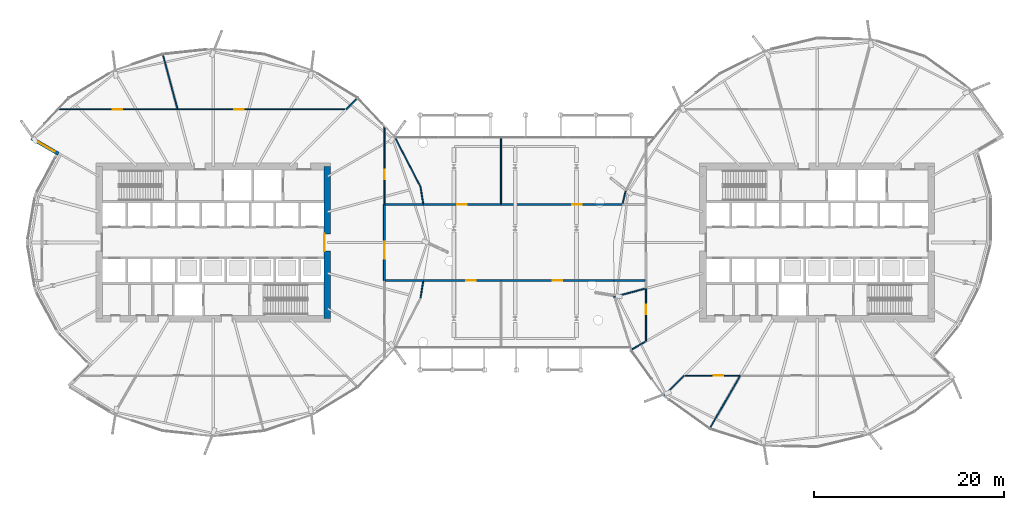
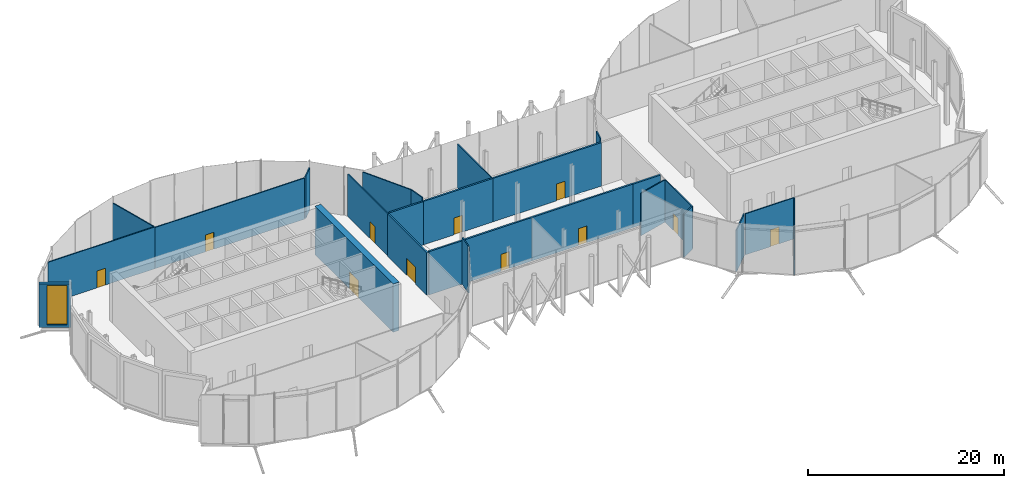
# One storey, part 21 of 38: 26 walls, 11 doors, 1 window, 12 openings.
"""IFC4 building model written with IfcOpenShell, lengths in metres."""

from ifc_helpers import new_model, si_unit, direction, frame, frame_2d, origin, place, context, subcontext, project, spatial, rectangle, extrude, material, layer, layer_set, type_object, element, fill, save


model = new_model("IFC4")

# Units and contexts
model_context = context("Model", 3, precision=1e-05, world=origin(), true_north=direction((0.0, 1.0)))
body_context = subcontext(model_context, "Body", "Model", "MODEL_VIEW")
ifc_project = project(units=[si_unit("LENGTHUNIT", "METRE"), si_unit("AREAUNIT", "SQUARE_METRE"), si_unit("VOLUMEUNIT", "CUBIC_METRE"), si_unit("PLANEANGLEUNIT", "RADIAN"), si_unit("MASSUNIT", "GRAM", prefix="KILO")], contexts=[model_context])

# Site, building, storey
site_placement = place(None, origin())
site = spatial("IfcSite", under=ifc_project, at=site_placement, CompositionType="ELEMENT")
building_placement = place(site_placement, origin())
building = spatial("IfcBuilding", under=site, at=building_placement, Name="Rimbun Link Towers", CompositionType="ELEMENT")
storey_placement = place(building_placement, frame((0.0, 0.0, 133.199951171875)))
storey = spatial("IfcBuildingStorey", under=building, at=storey_placement, Name="L32", CompositionType="ELEMENT", Elevation=133.199951171875)

# Wall, opening, window
ifc_material_1 = material(Name="Dark enamelled glass spandrel on insulated aluminium backpan", Category="aluminium")
ifc_layer_1 = layer(ifc_material_1, 0.3701171875)
ifc_layer_set_1 = layer_set([ifc_layer_1], Name="CS dark enamelled spandrel wall 370")
wall_type_1 = type_object("IfcWallType", Name="CS dark enamelled spandrel wall 370", PredefinedType="STANDARD", material=ifc_layer_set_1)
wall_1_placement = place(storey_placement, frame((-48.031494140625, 9.324951171875, 0.0), z_axis=(0.0, 0.0, 1.0), x_axis=(-0.866008333849, 0.50002956483, 0.0)))
wall_1 = element("IfcWall", 1, at=wall_1_placement, inside=storey, type_object=wall_type_1, Name="Crease spandrel wall", PredefinedType="STANDARD", context=body_context, shape_type="SweptSolid", body=[
    extrude(rectangle(XDim=3.280029296875, YDim=0.3701171875, at=frame_2d((1.64013671875, 0.0))), origin(), (0.0, 0.0, 1.0), 5.403564453125),
])
opening_1_placement = place(wall_1_placement, frame((0.443115234375, 0.0, 0.300048828125)))
opening_1 = element("IfcOpeningElement", 2, at=opening_1_placement, cuts=wall_1, Name="Opening WR20H495", PredefinedType="OPENING", context=body_context, shape_type="SweptSolid", body=[
    extrude(rectangle(XDim=2.0, YDim=4.949951171875, at=frame_2d((1.0, 2.47509765625))), frame((0.0, 0.195068359375, 0.0), z_axis=(0.0, -1.0, 0.0), x_axis=(1.0, 0.0, 0.0)), (0.0, 0.0, 1.0), 0.39013671875),
])
ifc_material_2 = material(Name="Aluminium framed fixed window, dark tinted low-e glass", Category="aluminium")
window_type = type_object("IfcWindowType", Name="WR ribbon window 2000X4950", PartitioningType="SINGLE_PANEL", PredefinedType="WINDOW", material=ifc_material_2)
window_placement = place(opening_1_placement, origin())
window = element("IfcWindow", 3, at=window_placement, inside=storey, type_object=window_type, Name="Crease ribbon window", OverallHeight=4.949951171875, OverallWidth=2.0, PartitioningType="SINGLE_PANEL", PredefinedType="WINDOW", context=body_context, shape_type="SweptSolid", body=[
    extrude(rectangle(XDim=2.0, YDim=4.949951171875, at=frame_2d((1.0, 2.47509765625))), frame((0.0, 0.030029296875, 0.0), z_axis=(0.0, -1.0, 0.0), x_axis=(1.0, 0.0, 0.0)), (0.0, 0.0, 1.0), 0.06005859375),
])
fill(opening_1, window)

# Wall, opening, door
ifc_material_3 = material(Name="Concrete C60/75", Category="concrete")
ifc_layer_2 = layer(ifc_material_3, 0.699951171875)
ifc_layer_set_2 = layer_set([ifc_layer_2], Name="Core shear wall 700")
wall_type_2 = type_object("IfcWallType", Name="Core shear wall 700", PredefinedType="SHEAR", material=ifc_layer_set_2)
wall_2_placement = place(storey_placement, frame((-19.75, -8.0, 0.0), z_axis=(0.0, 0.0, 1.0), x_axis=(0.0, 1.0, 0.0)))
wall_2 = element("IfcWall", 4, at=wall_2_placement, inside=storey, type_object=wall_type_2, Name="L32 T1 core wall E", PredefinedType="SHEAR", context=body_context, shape_type="SweptSolid", body=[
    extrude(rectangle(XDim=16.0, YDim=0.699951171875, at=frame_2d((8.0, 0.0))), origin(), (0.0, 0.0, 1.0), 6.0),
])
opening_2_placement = place(wall_2_placement, frame((7.10009765625, 0.0, 0.0)))
opening_2 = element("IfcOpeningElement", 5, at=opening_2_placement, cuts=wall_2, Name="Opening C1DCL01E", PredefinedType="OPENING", context=body_context, shape_type="SweptSolid", body=[
    extrude(rectangle(XDim=1.800048828125, YDim=2.10009765625, at=frame_2d((0.89990234375, 1.050048828125))), frame((0.0, 0.35986328125, 0.0), z_axis=(0.0, -1.0, 0.0), x_axis=(1.0, 0.0, 0.0)), (0.0, 0.0, 1.0), 0.719970703125),
])
ifc_material_4 = material(Name="Steel fire door set", Category="steel")
door_type_1 = type_object("IfcDoorType", Name="Core lobby door double", OperationType="DOUBLE_DOOR_SINGLE_SWING", PredefinedType="DOOR", material=ifc_material_4)
door_1_placement = place(opening_2_placement, origin())
door_1 = element("IfcDoor", 6, at=door_1_placement, inside=storey, type_object=door_type_1, Name="L32 T1 lift lobby door", OperationType="DOUBLE_DOOR_SINGLE_SWING", OverallHeight=2.10009765625, OverallWidth=1.800048828125, PredefinedType="DOOR", context=body_context, shape_type="SweptSolid", body=[
    extrude(rectangle(XDim=1.800048828125, YDim=2.10009765625, at=frame_2d((0.89990234375, 1.050048828125))), frame((0.0, 0.35009765625, 0.0), z_axis=(0.0, -1.0, 0.0), x_axis=(1.0, 0.0, 0.0)), (0.0, 0.0, 1.0), 0.050048828125),
])
fill(opening_2, door_1)

ifc_material_5 = material(Name="Concrete blockwork", Category="masonry")
ifc_layer_3 = layer(ifc_material_5, 0.199951171875)
ifc_layer_set_3 = layer_set([ifc_layer_3], Name="Fire partition 200 blockwork")
wall_type_3 = type_object("IfcWallType", Name="Fire partition 200 blockwork", PredefinedType="PARTITIONING", material=ifc_layer_set_3)
wall_3_placement = place(storey_placement, frame((-1.5, 4.0, 0.0), z_axis=(0.0, 0.0, 1.0), x_axis=(-1.0, 0.0, 0.0)))
wall_3 = element("IfcWall", 7, at=wall_3_placement, inside=storey, type_object=wall_type_3, Name="TW/PW/L32/001", PredefinedType="PARTITIONING", context=body_context, shape_type="SweptSolid", body=[
    extrude(rectangle(XDim=8.154296875, YDim=0.199951171875, at=frame_2d((4.0771484375, 0.0))), origin(), (0.0, 0.0, 1.0), 5.4140625),
])
opening_3_placement = place(wall_3_placement, frame((3.576904296875, 0.0, 0.0)))
opening_3 = element("IfcOpeningElement", 8, at=opening_3_placement, cuts=wall_3, Name="Opening TW D32.16", PredefinedType="OPENING", context=body_context, shape_type="SweptSolid", body=[
    extrude(rectangle(XDim=1.0, YDim=2.10009765625, at=frame_2d((0.5, 1.050048828125))), frame((0.0, 0.10986328125, 0.0), z_axis=(0.0, -1.0, 0.0), x_axis=(1.0, 0.0, 0.0)), (0.0, 0.0, 1.0), 0.219970703125),
])
ifc_material_6 = material(Name="Steel fire door set", Category="steel")
door_type_2 = type_object("IfcDoorType", Name="Fire door single leaf 1000 x 2100", OperationType="NOTDEFINED", PredefinedType="DOOR", material=ifc_material_6)
door_2_placement = place(opening_3_placement, origin())
door_2 = element("IfcDoor", 9, at=door_2_placement, inside=storey, type_object=door_type_2, Name="TW/DR/L32/016", OperationType="SINGLE_SWING_LEFT", OverallHeight=2.10009765625, OverallWidth=1.0, PredefinedType="DOOR", context=body_context, shape_type="SweptSolid", body=[
    extrude(rectangle(XDim=1.0, YDim=2.10009765625, at=frame_2d((0.5, 1.050048828125))), frame((0.0, 0.02490234375, 0.0), z_axis=(0.0, -1.0, 0.0), x_axis=(1.0, 0.0, 0.0)), (0.0, 0.0, 1.0), 0.050048828125),
])
fill(opening_3, door_2)

wall_4_placement = place(storey_placement, frame((11.275390625, 4.0, 0.0), z_axis=(0.0, 0.0, 1.0), x_axis=(-1.0, 0.0, 0.0)))
wall_4 = element("IfcWall", 10, at=wall_4_placement, inside=storey, type_object=wall_type_3, Name="TW/PW/L32/002", PredefinedType="PARTITIONING", context=body_context, shape_type="SweptSolid", body=[
    extrude(rectangle(XDim=12.775390625, YDim=0.199951171875, at=frame_2d((6.3876953125, 0.0))), origin(), (0.0, 0.0, 1.0), 5.4140625),
])
opening_4_placement = place(wall_4_placement, frame((4.256103515625, 0.0, 0.0)))
opening_4 = element("IfcOpeningElement", 11, at=opening_4_placement, cuts=wall_4, Name="Opening TW D32.17", PredefinedType="OPENING", context=body_context, shape_type="SweptSolid", body=[
    extrude(rectangle(XDim=1.0, YDim=2.10009765625, at=frame_2d((0.5, 1.050048828125))), frame((0.0, 0.10986328125, 0.0), z_axis=(0.0, -1.0, 0.0), x_axis=(1.0, 0.0, 0.0)), (0.0, 0.0, 1.0), 0.219970703125),
])
door_3_placement = place(opening_4_placement, origin())
door_3 = element("IfcDoor", 12, at=door_3_placement, inside=storey, type_object=door_type_2, Name="TW/DR/L32/017", OperationType="SINGLE_SWING_RIGHT", OverallHeight=2.10009765625, OverallWidth=1.0, PredefinedType="DOOR", context=body_context, shape_type="SweptSolid", body=[
    extrude(rectangle(XDim=1.0, YDim=2.10009765625, at=frame_2d((0.5, 1.050048828125))), frame((0.0, 0.02490234375, 0.0), z_axis=(0.0, -1.0, 0.0), x_axis=(1.0, 0.0, 0.0)), (0.0, 0.0, 1.0), 0.050048828125),
])
fill(opening_4, door_3)

wall_5_placement = place(storey_placement, frame((-9.654296875, -4.0, 0.0), z_axis=(0.0, 0.0, 1.0), x_axis=(1.0, 0.0, 0.0)))
wall_5 = element("IfcWall", 13, at=wall_5_placement, inside=storey, type_object=wall_type_3, Name="TW/PW/L32/003", PredefinedType="PARTITIONING", context=body_context, shape_type="SweptSolid", body=[
    extrude(rectangle(XDim=8.154296875, YDim=0.199951171875, at=frame_2d((4.0771484375, 0.0))), origin(), (0.0, 0.0, 1.0), 5.4140625),
])
opening_5_placement = place(wall_5_placement, frame((4.514892578125, 0.0, 0.0)))
opening_5 = element("IfcOpeningElement", 14, at=opening_5_placement, cuts=wall_5, Name="Opening TW D32.18", PredefinedType="OPENING", context=body_context, shape_type="SweptSolid", body=[
    extrude(rectangle(XDim=1.0, YDim=2.10009765625, at=frame_2d((0.5, 1.050048828125))), frame((0.0, 0.10986328125, 0.0), z_axis=(0.0, -1.0, 0.0), x_axis=(1.0, 0.0, 0.0)), (0.0, 0.0, 1.0), 0.219970703125),
])
door_4_placement = place(opening_5_placement, origin())
door_4 = element("IfcDoor", 15, at=door_4_placement, inside=storey, type_object=door_type_2, Name="TW/DR/L32/018", OperationType="SINGLE_SWING_LEFT", OverallHeight=2.10009765625, OverallWidth=1.0, PredefinedType="DOOR", context=body_context, shape_type="SweptSolid", body=[
    extrude(rectangle(XDim=1.0, YDim=2.10009765625, at=frame_2d((0.5, 1.050048828125))), frame((0.0, 0.02490234375, 0.0), z_axis=(0.0, -1.0, 0.0), x_axis=(1.0, 0.0, 0.0)), (0.0, 0.0, 1.0), 0.050048828125),
])
fill(opening_5, door_4)

wall_6_placement = place(storey_placement, frame((-1.5, -4.0, 0.0), z_axis=(0.0, 0.0, 1.0), x_axis=(1.0, 0.0, 0.0)))
wall_6 = element("IfcWall", 16, at=wall_6_placement, inside=storey, type_object=wall_type_3, Name="TW/PW/L32/004", PredefinedType="PARTITIONING", context=body_context, shape_type="SweptSolid", body=[
    extrude(rectangle(XDim=11.923095703125, YDim=0.199951171875, at=frame_2d((5.96142578125, 0.0))), origin(), (0.0, 0.0, 1.0), 5.4140625),
])
opening_6_placement = place(wall_6_placement, frame((5.4619140625, 0.0, 0.0)))
opening_6 = element("IfcOpeningElement", 17, at=opening_6_placement, cuts=wall_6, Name="Opening TW D32.19", PredefinedType="OPENING", context=body_context, shape_type="SweptSolid", body=[
    extrude(rectangle(XDim=1.0, YDim=2.10009765625, at=frame_2d((0.5, 1.050048828125))), frame((0.0, 0.10986328125, 0.0), z_axis=(0.0, -1.0, 0.0), x_axis=(1.0, 0.0, 0.0)), (0.0, 0.0, 1.0), 0.219970703125),
])
door_5_placement = place(opening_6_placement, origin())
door_5 = element("IfcDoor", 18, at=door_5_placement, inside=storey, type_object=door_type_2, Name="TW/DR/L32/019", OperationType="SINGLE_SWING_RIGHT", OverallHeight=2.10009765625, OverallWidth=1.0, PredefinedType="DOOR", context=body_context, shape_type="SweptSolid", body=[
    extrude(rectangle(XDim=1.0, YDim=2.10009765625, at=frame_2d((0.5, 1.050048828125))), frame((0.0, 0.02490234375, 0.0), z_axis=(0.0, -1.0, 0.0), x_axis=(1.0, 0.0, 0.0)), (0.0, 0.0, 1.0), 0.050048828125),
])
fill(opening_6, door_5)

wall_7_placement = place(storey_placement, frame((-13.75, -4.0, 0.0), z_axis=(0.0, 0.0, 1.0), x_axis=(0.0, 1.0, 0.0)))
wall_7 = element("IfcWall", 19, at=wall_7_placement, inside=storey, type_object=wall_type_3, Name="TW/PW/L32/005", PredefinedType="PARTITIONING", context=body_context, shape_type="SweptSolid", body=[
    extrude(rectangle(XDim=8.0, YDim=0.199951171875, at=frame_2d((4.0, 0.0))), origin(), (0.0, 0.0, 1.0), 5.26708984375),
])
opening_7_placement = place(wall_7_placement, frame((2.304931640625, 0.0, 0.0)))
opening_7 = element("IfcOpeningElement", 20, at=opening_7_placement, cuts=wall_7, Name="Opening TW D32.20", PredefinedType="OPENING", context=body_context, shape_type="SweptSolid", body=[
    extrude(rectangle(XDim=1.800048828125, YDim=2.10009765625, at=frame_2d((0.89990234375, 1.050048828125))), frame((0.0, 0.10986328125, 0.0), z_axis=(0.0, -1.0, 0.0), x_axis=(1.0, 0.0, 0.0)), (0.0, 0.0, 1.0), 0.219970703125),
])
ifc_material_7 = material(Name="Steel fire door set", Category="steel")
door_type_3 = type_object("IfcDoorType", Name="Fire door double leaf 1800 x 2100", OperationType="NOTDEFINED", PredefinedType="DOOR", material=ifc_material_7)
door_6_placement = place(opening_7_placement, origin())
door_6 = element("IfcDoor", 21, at=door_6_placement, inside=storey, type_object=door_type_3, Name="TW/DR/L32/020", OperationType="DOUBLE_DOOR_SINGLE_SWING", OverallHeight=2.10009765625, OverallWidth=1.800048828125, PredefinedType="DOOR", context=body_context, shape_type="SweptSolid", body=[
    extrude(rectangle(XDim=1.800048828125, YDim=2.10009765625, at=frame_2d((0.89990234375, 1.050048828125))), frame((0.0, 0.02490234375, 0.0), z_axis=(0.0, -1.0, 0.0), x_axis=(1.0, 0.0, 0.0)), (0.0, 0.0, 1.0), 0.050048828125),
])
fill(opening_7, door_6)

# Walls
for number, where, z_axis, x_axis, name in (
    (22, (-13.64990234375, -4.0, 0.0), (0.0, 0.0, 1.0), (1.0, 0.0, 0.0), "TW/PW/L32/018"),
    (23, (-9.654296875, 4.0, 0.0), (0.0, 0.0, 1.0), (-1.0, 0.0, 0.0), "TW/PW/L32/019"),
):
    element("IfcWall", number, at=place(storey_placement, frame(where, z_axis=z_axis, x_axis=x_axis)), inside=storey, type_object=wall_type_3, Name=name, PredefinedType="PARTITIONING", context=body_context, shape_type="SweptSolid", body=[
        extrude(rectangle(XDim=3.99560546875, YDim=0.199951171875, at=frame_2d((1.997802734375, 0.0))), origin(), (0.0, 0.0, 1.0), 5.39404296875),
    ])
wall_8_placement = place(storey_placement, frame((10.383056640625, -4.0, 0.0), z_axis=(0.0, 0.0, 1.0), x_axis=(1.0, 0.0, 0.0)))
element("IfcWall", 24, at=wall_8_placement, inside=storey, type_object=wall_type_3, Name="TW/PW/L32/041", PredefinedType="PARTITIONING", context=body_context, shape_type="SweptSolid", body=[
    extrude(rectangle(XDim=3.266845703125, YDim=0.199951171875, at=frame_2d((1.63330078125, 0.0))), origin(), (0.0, 0.0, 1.0), 5.39404296875),
])

# Wall, opening, door
ifc_material_8 = material(Name="Gypsum board on steel studs", Category="steel")
ifc_layer_4 = layer(ifc_material_8, 0.125)
ifc_layer_set_4 = layer_set([ifc_layer_4], Name="Partition 125 board on studs")
wall_type_4 = type_object("IfcWallType", Name="Partition 125 board on studs", PredefinedType="PARTITIONING", material=ifc_layer_set_4)
wall_9_placement = place(storey_placement, frame((-13.75, 4.0, 0.0), z_axis=(0.0, 0.0, 1.0), x_axis=(0.0, 1.0, 0.0)))
wall_9 = element("IfcWall", 25, at=wall_9_placement, inside=storey, type_object=wall_type_4, Name="TW/PW/L32/014", PredefinedType="PARTITIONING", context=body_context, shape_type="SweptSolid", body=[
    extrude(rectangle(XDim=8.185791015625, YDim=0.125, at=frame_2d((4.0927734375, 0.0))), origin(), (0.0, 0.0, 1.0), 5.26708984375),
])
opening_8_placement = place(wall_9_placement, frame((2.64990234375, 0.0, 0.0)))
opening_8 = element("IfcOpeningElement", 26, at=opening_8_placement, cuts=wall_9, Name="Opening TW D32.05", PredefinedType="OPENING", context=body_context, shape_type="SweptSolid", body=[
    extrude(rectangle(XDim=1.0, YDim=2.10009765625, at=frame_2d((0.5, 1.050048828125))), frame((0.0, 0.072509765625, 0.0), z_axis=(0.0, -1.0, 0.0), x_axis=(1.0, 0.0, 0.0)), (0.0, 0.0, 1.0), 0.14501953125),
])
ifc_material_9 = material(Name="Timber door set", Category="wood")
door_type_4 = type_object("IfcDoorType", Name="Door single leaf 1000 x 2100", OperationType="NOTDEFINED", PredefinedType="DOOR", material=ifc_material_9)
door_7_placement = place(opening_8_placement, origin())
door_7 = element("IfcDoor", 27, at=door_7_placement, inside=storey, type_object=door_type_4, Name="TW/DR/L32/005", OperationType="SINGLE_SWING_RIGHT", OverallHeight=2.10009765625, OverallWidth=1.0, PredefinedType="DOOR", context=body_context, shape_type="SweptSolid", body=[
    extrude(rectangle(XDim=1.0, YDim=2.10009765625, at=frame_2d((0.5, 1.050048828125))), frame((0.0, 0.02490234375, 0.0), z_axis=(0.0, -1.0, 0.0), x_axis=(1.0, 0.0, 0.0)), (0.0, 0.0, 1.0), 0.050048828125),
])
fill(opening_8, door_7)

# Wall
wall_10_placement = place(storey_placement, frame((-16.595703125, 15.154296875, 0.0), z_axis=(0.0, 0.0, 1.0), x_axis=(-0.707106781187, -0.707106781187, 0.0)))
element("IfcWall", 28, at=wall_10_placement, inside=storey, type_object=wall_type_4, Name="TW/PW/L32/015", PredefinedType="PARTITIONING", context=body_context, shape_type="SweptSolid", body=[
    extrude(rectangle(XDim=1.63232421875, YDim=0.125, at=frame_2d((0.816162109375, 0.0))), origin(), (0.0, 0.0, 1.0), 5.26708984375),
])

# Wall, opening, door
wall_11_placement = place(storey_placement, frame((-17.90087890625, 14.0, 0.0), z_axis=(0.0, 0.0, 1.0), x_axis=(-1.0, 0.0, 0.0)))
wall_11 = element("IfcWall", 29, at=wall_11_placement, inside=storey, type_object=wall_type_4, Name="TW/PW/L32/016", PredefinedType="PARTITIONING", context=body_context, shape_type="SweptSolid", body=[
    extrude(rectangle(XDim=17.600341796875, YDim=0.125, at=frame_2d((8.80029296875, 0.0))), origin(), (0.0, 0.0, 1.0), 5.115966796875),
])
opening_9_placement = place(wall_11_placement, frame((10.655029296875, 0.0, 0.0)))
opening_9 = element("IfcOpeningElement", 30, at=opening_9_placement, cuts=wall_11, Name="Opening TW D32.06", PredefinedType="OPENING", context=body_context, shape_type="SweptSolid", body=[
    extrude(rectangle(XDim=1.0, YDim=2.10009765625, at=frame_2d((0.5, 1.050048828125))), frame((0.0, 0.072509765625, 0.0), z_axis=(0.0, -1.0, 0.0), x_axis=(1.0, 0.0, 0.0)), (0.0, 0.0, 1.0), 0.14501953125),
])
door_8_placement = place(opening_9_placement, origin())
door_8 = element("IfcDoor", 31, at=door_8_placement, inside=storey, type_object=door_type_4, Name="TW/DR/L32/006", OperationType="SINGLE_SWING_LEFT", OverallHeight=2.10009765625, OverallWidth=1.0, PredefinedType="DOOR", context=body_context, shape_type="SweptSolid", body=[
    extrude(rectangle(XDim=1.0, YDim=2.10009765625, at=frame_2d((0.5, 1.050048828125))), frame((0.0, 0.02490234375, 0.0), z_axis=(0.0, -1.0, 0.0), x_axis=(1.0, 0.0, 0.0)), (0.0, 0.0, 1.0), 0.050048828125),
])
fill(opening_9, door_8)

wall_12_placement = place(storey_placement, frame((-35.501220703125, 14.0, 0.0), z_axis=(0.0, 0.0, 1.0), x_axis=(-1.0, 0.0, 0.0)))
wall_12 = element("IfcWall", 32, at=wall_12_placement, inside=storey, type_object=wall_type_4, Name="TW/PW/L32/017", PredefinedType="PARTITIONING", context=body_context, shape_type="SweptSolid", body=[
    extrude(rectangle(XDim=12.589599609375, YDim=0.125, at=frame_2d((6.294921875, 0.0))), origin(), (0.0, 0.0, 1.0), 5.197021484375),
])
opening_10_placement = place(wall_12_placement, frame((5.794921875, 0.0, 0.0)))
opening_10 = element("IfcOpeningElement", 33, at=opening_10_placement, cuts=wall_12, Name="Opening TW D32.07", PredefinedType="OPENING", context=body_context, shape_type="SweptSolid", body=[
    extrude(rectangle(XDim=1.0, YDim=2.10009765625, at=frame_2d((0.5, 1.050048828125))), frame((0.0, 0.072509765625, 0.0), z_axis=(0.0, -1.0, 0.0), x_axis=(1.0, 0.0, 0.0)), (0.0, 0.0, 1.0), 0.14501953125),
])
door_9_placement = place(opening_10_placement, origin())
door_9 = element("IfcDoor", 34, at=door_9_placement, inside=storey, type_object=door_type_4, Name="TW/DR/L32/007", OperationType="SINGLE_SWING_RIGHT", OverallHeight=2.10009765625, OverallWidth=1.0, PredefinedType="DOOR", context=body_context, shape_type="SweptSolid", body=[
    extrude(rectangle(XDim=1.0, YDim=2.10009765625, at=frame_2d((0.5, 1.050048828125))), frame((0.0, 0.02490234375, 0.0), z_axis=(0.0, -1.0, 0.0), x_axis=(1.0, 0.0, 0.0)), (0.0, 0.0, 1.0), 0.050048828125),
])
fill(opening_10, door_9)

# Walls
for number, where, z_axis, x_axis, name in (
    (35, (-9.95361328125, -5.81982421875, 0.0), (0.0, 0.0, 1.0), (0.16231936221, 0.98673827566, 0.0), "TW/PW/L32/023"),
    (36, (-9.67236328125, 4.110107421875, 0.0), (0.0, 0.0, 1.0), (-0.16231936221, 0.98673827566, 0.0), "TW/PW/L32/024"),
):
    element("IfcWall", number, at=place(storey_placement, frame(where, z_axis=z_axis, x_axis=x_axis)), inside=storey, type_object=wall_type_4, Name=name, PredefinedType="PARTITIONING", context=body_context, shape_type="SweptSolid", body=[
        extrude(rectangle(XDim=1.732666015625, YDim=0.125, at=frame_2d((0.8662109375, 0.0))), origin(), (0.0, 0.0, 1.0), 5.820068359375),
    ])
wall_13_placement = place(storey_placement, frame((-9.919921875, 5.768310546875, 0.0), z_axis=(0.0, 0.0, 1.0), x_axis=(-0.459568637938, 0.888142256074, 0.0)))
element("IfcWall", 37, at=wall_13_placement, inside=storey, type_object=wall_type_4, Name="TW/PW/L32/025", PredefinedType="PARTITIONING", context=body_context, shape_type="SweptSolid", body=[
    extrude(rectangle(XDim=5.970703125, YDim=0.125, at=frame_2d((2.9853515625, 0.0))), origin(), (0.0, 0.0, 1.0), 5.820068359375),
])
wall_14_placement = place(storey_placement, frame((-37.064697265625, 19.835205078125, 0.0), z_axis=(0.0, 0.0, 1.0), x_axis=(0.258781816618, -0.965935800862, 0.0)))
element("IfcWall", 38, at=wall_14_placement, inside=storey, type_object=wall_type_4, Name="TW/PW/L32/026", PredefinedType="PARTITIONING", context=body_context, shape_type="SweptSolid", body=[
    extrude(rectangle(XDim=5.959716796875, YDim=0.125, at=frame_2d((2.97998046875, 0.0))), origin(), (0.0, 0.0, 1.0), 5.197021484375),
])

# Wall, opening, door
wall_15_placement = place(storey_placement, frame((13.75, -4.822998046875, 0.0), z_axis=(0.0, 0.0, 1.0), x_axis=(0.0, -1.0, 0.0)))
wall_15 = element("IfcWall", 39, at=wall_15_placement, inside=storey, type_object=wall_type_4, Name="TW/PW/L32/028", PredefinedType="PARTITIONING", context=body_context, shape_type="SweptSolid", body=[
    extrude(rectangle(XDim=5.5693359375, YDim=0.125, at=frame_2d((2.78466796875, 0.0))), origin(), (0.0, 0.0, 1.0), 5.26708984375),
])
opening_11_placement = place(wall_15_placement, frame((1.73388671875, 0.0, 0.0)))
opening_11 = element("IfcOpeningElement", 40, at=opening_11_placement, cuts=wall_15, Name="Opening TW D32.08", PredefinedType="OPENING", context=body_context, shape_type="SweptSolid", body=[
    extrude(rectangle(XDim=1.0, YDim=2.10009765625, at=frame_2d((0.5, 1.050048828125))), frame((0.0, 0.072509765625, 0.0), z_axis=(0.0, -1.0, 0.0), x_axis=(1.0, 0.0, 0.0)), (0.0, 0.0, 1.0), 0.14501953125),
])
door_10_placement = place(opening_11_placement, origin())
door_10 = element("IfcDoor", 41, at=door_10_placement, inside=storey, type_object=door_type_4, Name="TW/DR/L32/008", OperationType="SINGLE_SWING_LEFT", OverallHeight=2.10009765625, OverallWidth=1.0, PredefinedType="DOOR", context=body_context, shape_type="SweptSolid", body=[
    extrude(rectangle(XDim=1.0, YDim=2.10009765625, at=frame_2d((0.5, 1.050048828125))), frame((0.0, 0.02490234375, 0.0), z_axis=(0.0, -1.0, 0.0), x_axis=(1.0, 0.0, 0.0)), (0.0, 0.0, 1.0), 0.050048828125),
])
fill(opening_11, door_10)

# Walls
wall_16_placement = place(storey_placement, frame((13.65625, -10.4462890625, 0.0), z_axis=(0.0, 0.0, 1.0), x_axis=(-0.865993162676, -0.50005583908, 0.0)))
element("IfcWall", 42, at=wall_16_placement, inside=storey, type_object=wall_type_4, Name="TW/PW/L32/029", PredefinedType="PARTITIONING", context=body_context, shape_type="SweptSolid", body=[
    extrude(rectangle(XDim=1.669189453125, YDim=0.125, at=frame_2d((0.83447265625, 0.0))), origin(), (0.0, 0.0, 1.0), 5.34716796875),
])
wall_17_placement = place(storey_placement, frame((15.604248046875, -16.145751953125, 0.0), z_axis=(0.0, 0.0, 1.0), x_axis=(0.707106781187, 0.707106781187, 0.0)))
element("IfcWall", 43, at=wall_17_placement, inside=storey, type_object=wall_type_4, Name="TW/PW/L32/030", PredefinedType="PARTITIONING", context=body_context, shape_type="SweptSolid", body=[
    extrude(rectangle(XDim=3.03466796875, YDim=0.125, at=frame_2d((1.517333984375, 0.0))), origin(), (0.0, 0.0, 1.0), 5.197021484375),
])

# Wall, opening, door
wall_18_placement = place(storey_placement, frame((17.90087890625, -14.0, 0.0), z_axis=(0.0, 0.0, 1.0), x_axis=(1.0, 0.0, 0.0)))
wall_18 = element("IfcWall", 44, at=wall_18_placement, inside=storey, type_object=wall_type_4, Name="TW/PW/L32/031", PredefinedType="PARTITIONING", context=body_context, shape_type="SweptSolid", body=[
    extrude(rectangle(XDim=5.76611328125, YDim=0.125, at=frame_2d((2.883056640625, 0.0))), origin(), (0.0, 0.0, 1.0), 5.115966796875),
])
opening_12_placement = place(wall_18_placement, frame((2.962890625, 0.0, 0.0)))
opening_12 = element("IfcOpeningElement", 45, at=opening_12_placement, cuts=wall_18, Name="Opening TW D32.09", PredefinedType="OPENING", context=body_context, shape_type="SweptSolid", body=[
    extrude(rectangle(XDim=1.0, YDim=2.10009765625, at=frame_2d((0.5, 1.050048828125))), frame((0.0, 0.072509765625, 0.0), z_axis=(0.0, -1.0, 0.0), x_axis=(1.0, 0.0, 0.0)), (0.0, 0.0, 1.0), 0.14501953125),
])
door_11_placement = place(opening_12_placement, origin())
door_11 = element("IfcDoor", 46, at=door_11_placement, inside=storey, type_object=door_type_4, Name="TW/DR/L32/009", OperationType="SINGLE_SWING_RIGHT", OverallHeight=2.10009765625, OverallWidth=1.0, PredefinedType="DOOR", context=body_context, shape_type="SweptSolid", body=[
    extrude(rectangle(XDim=1.0, YDim=2.10009765625, at=frame_2d((0.5, 1.050048828125))), frame((0.0, 0.02490234375, 0.0), z_axis=(0.0, -1.0, 0.0), x_axis=(1.0, 0.0, 0.0)), (0.0, 0.0, 1.0), 0.050048828125),
])
fill(opening_12, door_11)

# Walls
wall_19_placement = place(storey_placement, frame((13.67138671875, -4.84423828125, 0.0), z_axis=(0.0, 0.0, 1.0), x_axis=(-0.965931513134, -0.258797820574, 0.0)))
element("IfcWall", 47, at=wall_19_placement, inside=storey, type_object=wall_type_4, Name="TW/PW/L32/042", PredefinedType="PARTITIONING", context=body_context, shape_type="SweptSolid", body=[
    extrude(rectangle(XDim=3.42626953125, YDim=0.125, at=frame_2d((1.713134765625, 0.0))), origin(), (0.0, 0.0, 1.0), 5.26708984375),
])
wall_20_placement = place(storey_placement, frame((20.428955078125, -19.608642578125, 0.0), z_axis=(0.0, 0.0, 1.0), x_axis=(0.500006750458, 0.866021506371, 0.0)))
element("IfcWall", 48, at=wall_20_placement, inside=storey, type_object=wall_type_4, Name="TW/PW/L32/044", PredefinedType="PARTITIONING", context=body_context, shape_type="SweptSolid", body=[
    extrude(rectangle(XDim=6.3681640625, YDim=0.125, at=frame_2d((3.18408203125, 0.0))), origin(), (0.0, 0.0, 1.0), 5.115966796875),
])
wall_21_placement = place(storey_placement, frame((11.609375, 5.396728515625, 0.0), z_axis=(0.0, 0.0, 1.0), x_axis=(-0.232588444962, -0.972575249156, 0.0)))
element("IfcWall", 49, at=wall_21_placement, inside=storey, type_object=wall_type_4, Name="TW/PW/L32/049", PredefinedType="PARTITIONING", context=body_context, shape_type="SweptSolid", body=[
    extrude(rectangle(XDim=1.318359375, YDim=0.125, at=frame_2d((0.6591796875, 0.0))), origin(), (0.0, 0.0, 1.0), 5.820068359375),
])
wall_22_placement = place(storey_placement, frame((-1.5, 4.10009765625, 0.0), z_axis=(0.0, 0.0, 1.0), x_axis=(0.0, 1.0, 0.0)))
element("IfcWall", 50, at=wall_22_placement, inside=storey, type_object=wall_type_4, Name="TW/PW/L32/050", PredefinedType="PARTITIONING", context=body_context, shape_type="SweptSolid", body=[
    extrude(rectangle(XDim=6.97998046875, YDim=0.125, at=frame_2d((3.489990234375, 0.0))), origin(), (0.0, 0.0, 1.0), 5.4140625),
])

save(model, "model.ifc")
